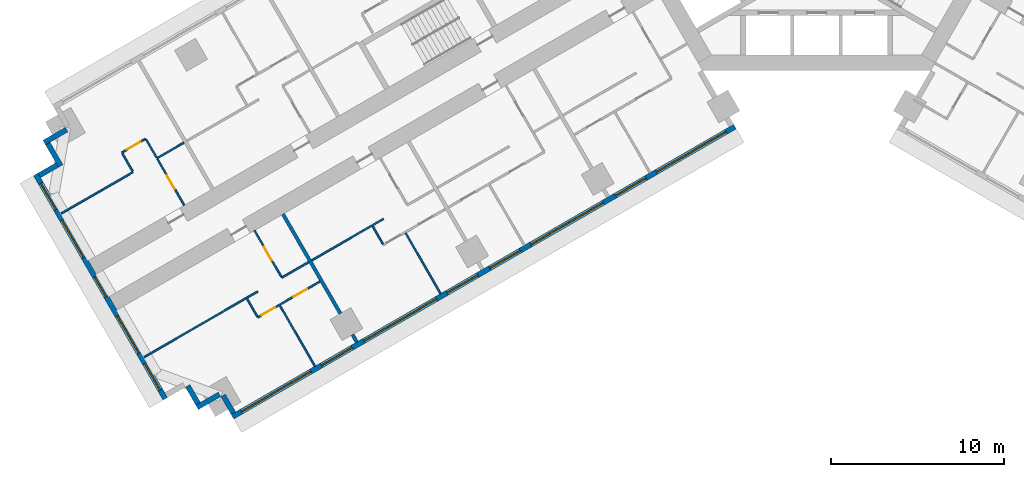
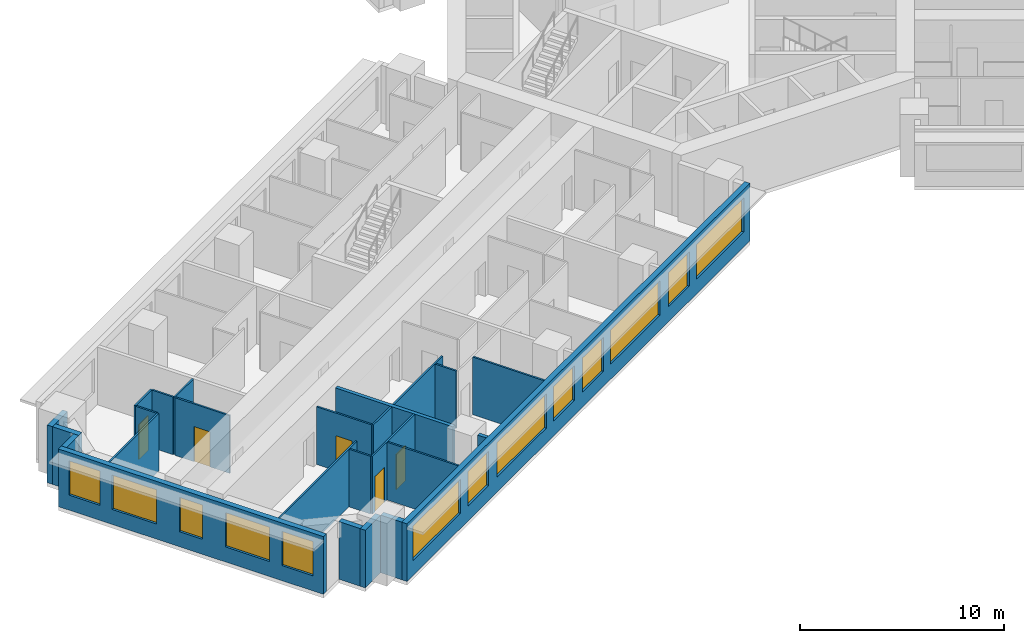
# One storey, part 2 of 14: 25 walls, 13 windows, 5 doors, 18 openings.
"""IFC4 building model written with IfcOpenShell, lengths in metres."""

from ifc_helpers import new_model, si_unit, direction, frame, frame_2d, origin, place, context, subcontext, project, spatial, rectangle, extrude, material, layer, layer_set, type_object, element, fill, save


model = new_model("IFC4")

# Units and contexts
model_context = context("Model", 3, precision=1e-05, world=origin(), true_north=direction((0.0, 1.0)))
body_context = subcontext(model_context, "Body", "Model", "MODEL_VIEW")
ifc_project = project(units=[si_unit("LENGTHUNIT", "METRE"), si_unit("AREAUNIT", "SQUARE_METRE"), si_unit("VOLUMEUNIT", "CUBIC_METRE"), si_unit("PLANEANGLEUNIT", "RADIAN"), si_unit("MASSUNIT", "GRAM", prefix="KILO")], contexts=[model_context])

# Site, building, storey
site_placement = place(None, origin())
site = spatial("IfcSite", under=ifc_project, at=site_placement, CompositionType="ELEMENT")
building_placement = place(site_placement, origin())
building = spatial("IfcBuilding", under=site, at=building_placement, Name="Impinga Residences", CompositionType="ELEMENT")
storey_placement = place(building_placement, frame((0.0, 0.0, 89.75)))
storey = spatial("IfcBuildingStorey", under=building, at=storey_placement, Name="L22", CompositionType="ELEMENT", Elevation=89.75)

# Walls
ifc_material_1 = material(Name="Terracotta rainscreen on blockwork", Category="masonry")
ifc_layer_1 = layer(ifc_material_1, 0.300048828125)
ifc_layer_set_1 = layer_set([ifc_layer_1], Name="EW1 external wall, terracotta rainscreen on blockwork 300")
wall_type_1 = type_object("IfcWallType", Name="EW1 external wall, terracotta rainscreen on blockwork 300", PredefinedType="SOLIDWALL", material=ifc_layer_set_1)
wall_1_placement = place(storey_placement, frame((-33.7685546875, -31.274169921875, 0.0), z_axis=(0.0, 0.0, 1.0), x_axis=(-0.499940577336, 0.866059708757, 0.0)))
element("IfcWall", 1, at=wall_1_placement, inside=storey, type_object=wall_type_1, Name="External wall EW1 L22", PredefinedType="SOLIDWALL", context=body_context, shape_type="SweptSolid", body=[
    extrude(rectangle(XDim=1.195068359375, YDim=0.300048828125, at=frame_2d((0.59765625, 0.0))), origin(), (0.0, 0.0, 1.0), 3.449951171875),
])
wall_2_placement = place(storey_placement, frame((-34.573486328125, -30.18017578125, 0.0), z_axis=(0.0, 0.0, 1.0), x_axis=(-0.866031096941, -0.499990139034, 0.0)))
element("IfcWall", 2, at=wall_2_placement, inside=storey, type_object=wall_type_1, Name="External wall EW1 L22", PredefinedType="SOLIDWALL", context=body_context, shape_type="SweptSolid", body=[
    extrude(rectangle(XDim=1.5, YDim=0.300048828125, at=frame_2d((0.75, 0.0))), origin(), (0.0, 0.0, 1.0), 3.449951171875),
])
wall_3_placement = place(storey_placement, frame((-35.817626953125, -30.72509765625, 0.0), z_axis=(0.0, 0.0, 1.0), x_axis=(-0.499969057507, 0.866043267704, 0.0)))
element("IfcWall", 3, at=wall_3_placement, inside=storey, type_object=wall_type_1, Name="External wall EW1 L22", PredefinedType="SOLIDWALL", context=body_context, shape_type="SweptSolid", body=[
    extrude(rectangle(XDim=1.19970703125, YDim=0.300048828125, at=frame_2d((0.599853515625, 0.0))), origin(), (0.0, 0.0, 1.0), 3.449951171875),
])

# Wall, openings, windows
wall_4_placement = place(storey_placement, frame((-37.716552734375, -30.43603515625, 0.0), z_axis=(0.0, 0.0, 1.0), x_axis=(-0.499997186618, 0.866027028085, 0.0)))
wall_4 = element("IfcWall", 4, at=wall_4_placement, inside=storey, type_object=wall_type_1, Name="External wall EW1 L22", PredefinedType="SOLIDWALL", context=body_context, shape_type="SweptSolid", body=[
    extrude(rectangle(XDim=15.0, YDim=0.300048828125, at=frame_2d((7.5, 0.0))), origin(), (0.0, 0.0, 1.0), 3.449951171875),
])
opening_1_placement = place(wall_4_placement, frame((0.60009765625, 0.0, 0.89990234375)))
opening_1 = element("IfcOpeningElement", 5, at=opening_1_placement, cuts=wall_4, Name="Opening W1", PredefinedType="OPENING", context=body_context, shape_type="SweptSolid", body=[
    extrude(rectangle(XDim=1.75, YDim=2.050048828125, at=frame_2d((0.875, 1.02490234375))), frame((0.0, 0.159912109375, 0.0), z_axis=(0.0, -1.0, 0.0), x_axis=(1.0, 0.0, 0.0)), (0.0, 0.0, 1.0), 0.320068359375),
])
opening_2_placement = place(wall_4_placement, frame((3.050048828125, 0.0, 0.89990234375)))
opening_2 = element("IfcOpeningElement", 6, at=opening_2_placement, cuts=wall_4, Name="Opening W2", PredefinedType="OPENING", context=body_context, shape_type="SweptSolid", body=[
    extrude(rectangle(XDim=2.5, YDim=2.050048828125, at=frame_2d((1.25, 1.02490234375))), frame((0.0, 0.159912109375, 0.0), z_axis=(0.0, -1.0, 0.0), x_axis=(1.0, 0.0, 0.0)), (0.0, 0.0, 1.0), 0.320068359375),
])
opening_3_placement = place(wall_4_placement, frame((6.85009765625, 0.0, 0.89990234375)))
opening_3 = element("IfcOpeningElement", 7, at=opening_3_placement, cuts=wall_4, Name="Opening WE1", PredefinedType="OPENING", context=body_context, shape_type="SweptSolid", body=[
    extrude(rectangle(XDim=1.300048828125, YDim=2.050048828125, at=frame_2d((0.64990234375, 1.02490234375))), frame((0.0, 0.159912109375, 0.0), z_axis=(0.0, -1.0, 0.0), x_axis=(1.0, 0.0, 0.0)), (0.0, 0.0, 1.0), 0.320068359375),
])
opening_4_placement = place(wall_4_placement, frame((9.449951171875, 0.0, 0.89990234375)))
opening_4 = element("IfcOpeningElement", 8, at=opening_4_placement, cuts=wall_4, Name="Opening W2", PredefinedType="OPENING", context=body_context, shape_type="SweptSolid", body=[
    extrude(rectangle(XDim=2.5, YDim=2.050048828125, at=frame_2d((1.25, 1.02490234375))), frame((0.0, 0.159912109375, 0.0), z_axis=(0.0, -1.0, 0.0), x_axis=(1.0, 0.0, 0.0)), (0.0, 0.0, 1.0), 0.320068359375),
])
opening_5_placement = place(wall_4_placement, frame((12.64990234375, 0.0, 0.89990234375)))
opening_5 = element("IfcOpeningElement", 9, at=opening_5_placement, cuts=wall_4, Name="Opening W1", PredefinedType="OPENING", context=body_context, shape_type="SweptSolid", body=[
    extrude(rectangle(XDim=1.75, YDim=2.050048828125, at=frame_2d((0.875, 1.02490234375))), frame((0.0, 0.159912109375, 0.0), z_axis=(0.0, -1.0, 0.0), x_axis=(1.0, 0.0, 0.0)), (0.0, 0.0, 1.0), 0.320068359375),
])
ifc_material_2 = material(Name="Aluminium window, clear double glazing", Category="aluminium")
window_type_1 = type_object("IfcWindowType", Name="W1 ribbon window 1750x2050", PartitioningType="SINGLE_PANEL", PredefinedType="WINDOW", material=ifc_material_2)
window_1_placement = place(opening_1_placement, origin())
window_1 = element("IfcWindow", 10, at=window_1_placement, inside=storey, type_object=window_type_1, Name="Window L22", OverallHeight=2.050048828125, OverallWidth=1.75, PartitioningType="SINGLE_PANEL", PredefinedType="WINDOW", context=body_context, shape_type="SweptSolid", body=[
    extrude(rectangle(XDim=1.75, YDim=2.050048828125, at=frame_2d((0.875, 1.02490234375))), frame((0.0, 0.030029296875, 0.0), z_axis=(0.0, -1.0, 0.0), x_axis=(1.0, 0.0, 0.0)), (0.0, 0.0, 1.0), 0.06005859375),
])
fill(opening_1, window_1)
window_2_placement = place(opening_5_placement, origin())
window_2 = element("IfcWindow", 11, at=window_2_placement, inside=storey, type_object=window_type_1, Name="Window L22", OverallHeight=2.050048828125, OverallWidth=1.75, PartitioningType="SINGLE_PANEL", PredefinedType="WINDOW", context=body_context, shape_type="SweptSolid", body=[
    extrude(rectangle(XDim=1.75, YDim=2.050048828125, at=frame_2d((0.875, 1.02490234375))), frame((0.0, 0.030029296875, 0.0), z_axis=(0.0, -1.0, 0.0), x_axis=(1.0, 0.0, 0.0)), (0.0, 0.0, 1.0), 0.06005859375),
])
fill(opening_5, window_2)
window_type_2 = type_object("IfcWindowType", Name="W2 ribbon window 2500x2050", PartitioningType="SINGLE_PANEL", PredefinedType="WINDOW", material=ifc_material_2)
window_3_placement = place(opening_2_placement, origin())
window_3 = element("IfcWindow", 12, at=window_3_placement, inside=storey, type_object=window_type_2, Name="Window L22", OverallHeight=2.050048828125, OverallWidth=2.5, PartitioningType="SINGLE_PANEL", PredefinedType="WINDOW", context=body_context, shape_type="SweptSolid", body=[
    extrude(rectangle(XDim=2.5, YDim=2.050048828125, at=frame_2d((1.25, 1.02490234375))), frame((0.0, 0.030029296875, 0.0), z_axis=(0.0, -1.0, 0.0), x_axis=(1.0, 0.0, 0.0)), (0.0, 0.0, 1.0), 0.06005859375),
])
fill(opening_2, window_3)
window_4_placement = place(opening_4_placement, origin())
window_4 = element("IfcWindow", 13, at=window_4_placement, inside=storey, type_object=window_type_2, Name="Window L22", OverallHeight=2.050048828125, OverallWidth=2.5, PartitioningType="SINGLE_PANEL", PredefinedType="WINDOW", context=body_context, shape_type="SweptSolid", body=[
    extrude(rectangle(XDim=2.5, YDim=2.050048828125, at=frame_2d((1.25, 1.02490234375))), frame((0.0, 0.030029296875, 0.0), z_axis=(0.0, -1.0, 0.0), x_axis=(1.0, 0.0, 0.0)), (0.0, 0.0, 1.0), 0.06005859375),
])
fill(opening_4, window_4)
window_type_3 = type_object("IfcWindowType", Name="WE1 corridor window 1300x2050", PartitioningType="SINGLE_PANEL", PredefinedType="WINDOW", material=ifc_material_2)
window_5_placement = place(opening_3_placement, origin())
window_5 = element("IfcWindow", 14, at=window_5_placement, inside=storey, type_object=window_type_3, Name="Window L22", OverallHeight=2.050048828125, OverallWidth=1.300048828125, PartitioningType="SINGLE_PANEL", PredefinedType="WINDOW", context=body_context, shape_type="SweptSolid", body=[
    extrude(rectangle(XDim=1.300048828125, YDim=2.050048828125, at=frame_2d((0.64990234375, 1.02490234375))), frame((0.0, 0.030029296875, 0.0), z_axis=(0.0, -1.0, 0.0), x_axis=(1.0, 0.0, 0.0)), (0.0, 0.0, 1.0), 0.06005859375),
])
fill(opening_3, window_5)

# Walls
wall_5_placement = place(storey_placement, frame((-45.01171875, -17.50048828125, 0.0), z_axis=(0.0, 0.0, 1.0), x_axis=(0.866059708757, 0.499940577336, 0.0)))
element("IfcWall", 15, at=wall_5_placement, inside=storey, type_object=wall_type_1, Name="External wall EW1 L22", PredefinedType="SOLIDWALL", context=body_context, shape_type="SweptSolid", body=[
    extrude(rectangle(XDim=1.195068359375, YDim=0.300048828125, at=frame_2d((0.59765625, 0.0))), origin(), (0.0, 0.0, 1.0), 3.449951171875),
])
for number, where, z_axis, x_axis, name in (
    (16, (-43.767578125, -16.955322265625, 0.0), (0.0, 0.0, 1.0), (-0.499990139034, 0.866031096941, 0.0), "External wall EW1 L22"),
    (17, (-44.722412109375, -15.6015625, 0.0), (0.0, 0.0, 1.0), (0.866031096941, 0.499990139034, 0.0), "External wall EW1 L22"),
):
    element("IfcWall", number, at=place(storey_placement, frame(where, z_axis=z_axis, x_axis=x_axis)), inside=storey, type_object=wall_type_1, Name=name, PredefinedType="SOLIDWALL", context=body_context, shape_type="SweptSolid", body=[
        extrude(rectangle(XDim=1.5, YDim=0.300048828125, at=frame_2d((0.75, 0.0))), origin(), (0.0, 0.0, 1.0), 3.449951171875),
    ])

# Wall, openings, windows
wall_6_placement = place(storey_placement, frame((-4.72509765625, -14.67919921875, 0.0), z_axis=(0.0, 0.0, 1.0), x_axis=(-0.866024291668, -0.500001926238, 0.0)))
wall_6 = element("IfcWall", 18, at=wall_6_placement, inside=storey, type_object=wall_type_1, Name="External wall EW1 L22", PredefinedType="SOLIDWALL", context=body_context, shape_type="SweptSolid", body=[
    extrude(rectangle(XDim=33.599853515625, YDim=0.300048828125, at=frame_2d((16.7998046875, 0.0))), origin(), (0.0, 0.0, 1.0), 3.449951171875),
])
opening_6_placement = place(wall_6_placement, frame((0.60009765625, 0.0, 0.89990234375)))
opening_6 = element("IfcOpeningElement", 19, at=opening_6_placement, cuts=wall_6, Name="Opening W10", PredefinedType="OPENING", context=body_context, shape_type="SweptSolid", body=[
    extrude(rectangle(XDim=4.64990234375, YDim=2.050048828125, at=frame_2d((2.324951171875, 1.02490234375))), frame((0.0, 0.159912109375, 0.0), z_axis=(0.0, -1.0, 0.0), x_axis=(1.0, 0.0, 0.0)), (0.0, 0.0, 1.0), 0.320068359375),
])
opening_7_placement = place(wall_6_placement, frame((5.949951171875, 0.0, 0.89990234375)))
opening_7 = element("IfcOpeningElement", 20, at=opening_7_placement, cuts=wall_6, Name="Opening W14", PredefinedType="OPENING", context=body_context, shape_type="SweptSolid", body=[
    extrude(rectangle(XDim=2.050048828125, YDim=2.050048828125, at=frame_2d((1.02490234375, 1.02490234375))), frame((0.0, 0.159912109375, 0.0), z_axis=(0.0, -1.0, 0.0), x_axis=(1.0, 0.0, 0.0)), (0.0, 0.0, 1.0), 0.320068359375),
])
opening_8_placement = place(wall_6_placement, frame((8.800048828125, 0.0, 0.89990234375)))
opening_8 = element("IfcOpeningElement", 21, at=opening_8_placement, cuts=wall_6, Name="Opening W6", PredefinedType="OPENING", context=body_context, shape_type="SweptSolid", body=[
    extrude(rectangle(XDim=4.85009765625, YDim=2.050048828125, at=frame_2d((2.425048828125, 1.02490234375))), frame((0.0, 0.159912109375, 0.0), z_axis=(0.0, -1.0, 0.0), x_axis=(1.0, 0.0, 0.0)), (0.0, 0.0, 1.0), 0.320068359375),
])
opening_9_placement = place(wall_6_placement, frame((14.35009765625, 0.0, 0.89990234375)))
opening_9 = element("IfcOpeningElement", 22, at=opening_9_placement, cuts=wall_6, Name="Opening W14", PredefinedType="OPENING", context=body_context, shape_type="SweptSolid", body=[
    extrude(rectangle(XDim=2.050048828125, YDim=2.050048828125, at=frame_2d((1.02490234375, 1.02490234375))), frame((0.0, 0.159912109375, 0.0), z_axis=(0.0, -1.0, 0.0), x_axis=(1.0, 0.0, 0.0)), (0.0, 0.0, 1.0), 0.320068359375),
])
opening_10_placement = place(wall_6_placement, frame((17.199951171875, 0.0, 0.89990234375)))
opening_10 = element("IfcOpeningElement", 23, at=opening_10_placement, cuts=wall_6, Name="Opening W14", PredefinedType="OPENING", context=body_context, shape_type="SweptSolid", body=[
    extrude(rectangle(XDim=2.050048828125, YDim=2.050048828125, at=frame_2d((1.02490234375, 1.02490234375))), frame((0.0, 0.159912109375, 0.0), z_axis=(0.0, -1.0, 0.0), x_axis=(1.0, 0.0, 0.0)), (0.0, 0.0, 1.0), 0.320068359375),
])
opening_11_placement = place(wall_6_placement, frame((19.949951171875, 0.0, 0.89990234375)))
opening_11 = element("IfcOpeningElement", 24, at=opening_11_placement, cuts=wall_6, Name="Opening W6", PredefinedType="OPENING", context=body_context, shape_type="SweptSolid", body=[
    extrude(rectangle(XDim=4.85009765625, YDim=2.050048828125, at=frame_2d((2.425048828125, 1.02490234375))), frame((0.0, 0.159912109375, 0.0), z_axis=(0.0, -1.0, 0.0), x_axis=(1.0, 0.0, 0.0)), (0.0, 0.0, 1.0), 0.320068359375),
])
opening_12_placement = place(wall_6_placement, frame((25.60009765625, 0.0, 0.89990234375)))
opening_12 = element("IfcOpeningElement", 25, at=opening_12_placement, cuts=wall_6, Name="Opening W14", PredefinedType="OPENING", context=body_context, shape_type="SweptSolid", body=[
    extrude(rectangle(XDim=2.050048828125, YDim=2.050048828125, at=frame_2d((1.02490234375, 1.02490234375))), frame((0.0, 0.159912109375, 0.0), z_axis=(0.0, -1.0, 0.0), x_axis=(1.0, 0.0, 0.0)), (0.0, 0.0, 1.0), 0.320068359375),
])
opening_13_placement = place(wall_6_placement, frame((28.35009765625, 0.0, 0.89990234375)))
opening_13 = element("IfcOpeningElement", 26, at=opening_13_placement, cuts=wall_6, Name="Opening W10", PredefinedType="OPENING", context=body_context, shape_type="SweptSolid", body=[
    extrude(rectangle(XDim=4.64990234375, YDim=2.050048828125, at=frame_2d((2.324951171875, 1.02490234375))), frame((0.0, 0.159912109375, 0.0), z_axis=(0.0, -1.0, 0.0), x_axis=(1.0, 0.0, 0.0)), (0.0, 0.0, 1.0), 0.320068359375),
])
window_type_4 = type_object("IfcWindowType", Name="W10 ribbon window 4650x2050", PartitioningType="SINGLE_PANEL", PredefinedType="WINDOW", material=ifc_material_2)
window_6_placement = place(opening_6_placement, origin())
window_6 = element("IfcWindow", 27, at=window_6_placement, inside=storey, type_object=window_type_4, Name="Window L22", OverallHeight=2.050048828125, OverallWidth=4.64990234375, PartitioningType="SINGLE_PANEL", PredefinedType="WINDOW", context=body_context, shape_type="SweptSolid", body=[
    extrude(rectangle(XDim=4.64990234375, YDim=2.050048828125, at=frame_2d((2.324951171875, 1.02490234375))), frame((0.0, 0.030029296875, 0.0), z_axis=(0.0, -1.0, 0.0), x_axis=(1.0, 0.0, 0.0)), (0.0, 0.0, 1.0), 0.06005859375),
])
fill(opening_6, window_6)
window_7_placement = place(opening_13_placement, origin())
window_7 = element("IfcWindow", 28, at=window_7_placement, inside=storey, type_object=window_type_4, Name="Window L22", OverallHeight=2.050048828125, OverallWidth=4.64990234375, PartitioningType="SINGLE_PANEL", PredefinedType="WINDOW", context=body_context, shape_type="SweptSolid", body=[
    extrude(rectangle(XDim=4.64990234375, YDim=2.050048828125, at=frame_2d((2.324951171875, 1.02490234375))), frame((0.0, 0.030029296875, 0.0), z_axis=(0.0, -1.0, 0.0), x_axis=(1.0, 0.0, 0.0)), (0.0, 0.0, 1.0), 0.06005859375),
])
fill(opening_13, window_7)
window_type_5 = type_object("IfcWindowType", Name="W14 ribbon window 2050x2050", PartitioningType="SINGLE_PANEL", PredefinedType="WINDOW", material=ifc_material_2)
window_8_placement = place(opening_7_placement, origin())
window_8 = element("IfcWindow", 29, at=window_8_placement, inside=storey, type_object=window_type_5, Name="Window L22", OverallHeight=2.050048828125, OverallWidth=2.050048828125, PartitioningType="SINGLE_PANEL", PredefinedType="WINDOW", context=body_context, shape_type="SweptSolid", body=[
    extrude(rectangle(XDim=2.050048828125, YDim=2.050048828125, at=frame_2d((1.02490234375, 1.02490234375))), frame((0.0, 0.030029296875, 0.0), z_axis=(0.0, -1.0, 0.0), x_axis=(1.0, 0.0, 0.0)), (0.0, 0.0, 1.0), 0.06005859375),
])
fill(opening_7, window_8)
window_9_placement = place(opening_9_placement, origin())
window_9 = element("IfcWindow", 30, at=window_9_placement, inside=storey, type_object=window_type_5, Name="Window L22", OverallHeight=2.050048828125, OverallWidth=2.050048828125, PartitioningType="SINGLE_PANEL", PredefinedType="WINDOW", context=body_context, shape_type="SweptSolid", body=[
    extrude(rectangle(XDim=2.050048828125, YDim=2.050048828125, at=frame_2d((1.02490234375, 1.02490234375))), frame((0.0, 0.030029296875, 0.0), z_axis=(0.0, -1.0, 0.0), x_axis=(1.0, 0.0, 0.0)), (0.0, 0.0, 1.0), 0.06005859375),
])
fill(opening_9, window_9)
window_10_placement = place(opening_10_placement, origin())
window_10 = element("IfcWindow", 31, at=window_10_placement, inside=storey, type_object=window_type_5, Name="Window L22", OverallHeight=2.050048828125, OverallWidth=2.050048828125, PartitioningType="SINGLE_PANEL", PredefinedType="WINDOW", context=body_context, shape_type="SweptSolid", body=[
    extrude(rectangle(XDim=2.050048828125, YDim=2.050048828125, at=frame_2d((1.02490234375, 1.02490234375))), frame((0.0, 0.030029296875, 0.0), z_axis=(0.0, -1.0, 0.0), x_axis=(1.0, 0.0, 0.0)), (0.0, 0.0, 1.0), 0.06005859375),
])
fill(opening_10, window_10)
window_11_placement = place(opening_12_placement, origin())
window_11 = element("IfcWindow", 32, at=window_11_placement, inside=storey, type_object=window_type_5, Name="Window L22", OverallHeight=2.050048828125, OverallWidth=2.050048828125, PartitioningType="SINGLE_PANEL", PredefinedType="WINDOW", context=body_context, shape_type="SweptSolid", body=[
    extrude(rectangle(XDim=2.050048828125, YDim=2.050048828125, at=frame_2d((1.02490234375, 1.02490234375))), frame((0.0, 0.030029296875, 0.0), z_axis=(0.0, -1.0, 0.0), x_axis=(1.0, 0.0, 0.0)), (0.0, 0.0, 1.0), 0.06005859375),
])
fill(opening_12, window_11)
window_type_6 = type_object("IfcWindowType", Name="W6 ribbon window 4850x2050", PartitioningType="SINGLE_PANEL", PredefinedType="WINDOW", material=ifc_material_2)
window_12_placement = place(opening_8_placement, origin())
window_12 = element("IfcWindow", 33, at=window_12_placement, inside=storey, type_object=window_type_6, Name="Window L22", OverallHeight=2.050048828125, OverallWidth=4.85009765625, PartitioningType="SINGLE_PANEL", PredefinedType="WINDOW", context=body_context, shape_type="SweptSolid", body=[
    extrude(rectangle(XDim=4.85009765625, YDim=2.050048828125, at=frame_2d((2.425048828125, 1.02490234375))), frame((0.0, 0.030029296875, 0.0), z_axis=(0.0, -1.0, 0.0), x_axis=(1.0, 0.0, 0.0)), (0.0, 0.0, 1.0), 0.06005859375),
])
fill(opening_8, window_12)
window_13_placement = place(opening_11_placement, origin())
window_13 = element("IfcWindow", 34, at=window_13_placement, inside=storey, type_object=window_type_6, Name="Window L22", OverallHeight=2.050048828125, OverallWidth=4.85009765625, PartitioningType="SINGLE_PANEL", PredefinedType="WINDOW", context=body_context, shape_type="SweptSolid", body=[
    extrude(rectangle(XDim=4.85009765625, YDim=2.050048828125, at=frame_2d((2.425048828125, 1.02490234375))), frame((0.0, 0.030029296875, 0.0), z_axis=(0.0, -1.0, 0.0), x_axis=(1.0, 0.0, 0.0)), (0.0, 0.0, 1.0), 0.06005859375),
])
fill(opening_11, window_13)

# Walls
ifc_material_3 = material(Name="Gypsum board on steel studs", Category="steel")
ifc_layer_2 = layer(ifc_material_3, 0.10009765625)
ifc_layer_set_2 = layer_set([ifc_layer_2], Name="Gypsum board on steel studs")
wall_type_2 = type_object("IfcWallType", Name="IP1 partition 100", PredefinedType="PARTITIONING", material=ifc_layer_set_2)
wall_7_placement = place(storey_placement, frame((-25.080322265625, -20.022705078125, 0.0), z_axis=(0.0, 0.0, 1.0), x_axis=(-0.866037363387, -0.499979284789, 0.0)))
element("IfcWall", 35, at=wall_7_placement, inside=storey, type_object=wall_type_2, Name="Partition L22-WA3:DIV1", PredefinedType="PARTITIONING", context=body_context, shape_type="SweptSolid", body=[
    extrude(rectangle(XDim=4.800048828125, YDim=0.10009765625, at=frame_2d((2.39990234375, 0.0))), origin(), (0.0, 0.0, 1.0), 3.449951171875),
])
wall_8_placement = place(storey_placement, frame((-25.704833984375, -20.44091796875, 0.0), z_axis=(0.0, 0.0, 1.0), x_axis=(0.500033551112, -0.866006032174, 0.0)))
element("IfcWall", 36, at=wall_8_placement, inside=storey, type_object=wall_type_2, Name="Partition L22-WA3:SE1", PredefinedType="PARTITIONING", context=body_context, shape_type="SweptSolid", body=[
    extrude(rectangle(XDim=1.2001953125, YDim=0.10009765625, at=frame_2d((0.60009765625, 0.0))), origin(), (0.0, 0.0, 1.0), 3.449951171875),
])
wall_9_placement = place(storey_placement, frame((-23.799072265625, -20.841796875, 0.0), z_axis=(0.0, 0.0, 1.0), x_axis=(0.499990325971, -0.866030989016, 0.0)))
element("IfcWall", 37, at=wall_9_placement, inside=storey, type_object=wall_type_2, Name="Partition L22-WA3:OB1", PredefinedType="PARTITIONING", context=body_context, shape_type="SweptSolid", body=[
    extrude(rectangle(XDim=4.0498046875, YDim=0.10009765625, at=frame_2d((2.02490234375, 0.0))), origin(), (0.0, 0.0, 1.0), 3.449951171875),
])
wall_10_placement = place(storey_placement, frame((-29.410400390625, -22.522705078125, 0.0), z_axis=(0.0, 0.0, 1.0), x_axis=(-0.866047807691, -0.499961193289, 0.0)))
element("IfcWall", 38, at=wall_10_placement, inside=storey, type_object=wall_type_2, Name="Partition L22-WA4:DIV0", PredefinedType="PARTITIONING", context=body_context, shape_type="SweptSolid", body=[
    extrude(rectangle(XDim=1.800048828125, YDim=0.10009765625, at=frame_2d((0.89990234375, 0.0))), origin(), (0.0, 0.0, 1.0), 3.449951171875),
])
wall_11_placement = place(storey_placement, frame((-32.35498046875, -24.22265625, 0.0), z_axis=(0.0, 0.0, 1.0), x_axis=(-0.866022425744, -0.500005158081, 0.0)))
element("IfcWall", 39, at=wall_11_placement, inside=storey, type_object=wall_type_2, Name="Partition L22-WA4:DIV1", PredefinedType="PARTITIONING", context=body_context, shape_type="SweptSolid", body=[
    extrude(rectangle(XDim=7.60009765625, YDim=0.10009765625, at=frame_2d((3.800048828125, 0.0))), origin(), (0.0, 0.0, 1.0), 3.449951171875),
])

# Wall, openings, doors
wall_12_placement = place(storey_placement, frame((-28.760498046875, -23.6484375, 0.0), z_axis=(0.0, 0.0, 1.0), x_axis=(-0.866004344652, -0.500036473714, 0.0)))
wall_12 = element("IfcWall", 40, at=wall_12_placement, inside=storey, type_object=wall_type_2, Name="Partition L22-WA4:STRIP", PredefinedType="PARTITIONING", context=body_context, shape_type="SweptSolid", body=[
    extrude(rectangle(XDim=4.150146484375, YDim=0.10009765625, at=frame_2d((2.0751953125, 0.0))), origin(), (0.0, 0.0, 1.0), 3.449951171875),
])
opening_14_placement = place(wall_12_placement, frame((0.875, 0.0, 0.0)))
opening_14 = element("IfcOpeningElement", 41, at=opening_14_placement, cuts=wall_12, Name="Opening D2", PredefinedType="OPENING", context=body_context, shape_type="SweptSolid", body=[
    extrude(rectangle(XDim=0.89990234375, YDim=2.10009765625, at=frame_2d((0.449951171875, 1.050048828125))), frame((0.0, 0.06005859375, 0.0), z_axis=(0.0, -1.0, 0.0), x_axis=(1.0, 0.0, 0.0)), (0.0, 0.0, 1.0), 0.1201171875),
])
opening_15_placement = place(wall_12_placement, frame((3.0, 0.0, 0.0)))
opening_15 = element("IfcOpeningElement", 42, at=opening_15_placement, cuts=wall_12, Name="Opening D2", PredefinedType="OPENING", context=body_context, shape_type="SweptSolid", body=[
    extrude(rectangle(XDim=0.89990234375, YDim=2.10009765625, at=frame_2d((0.449951171875, 1.050048828125))), frame((0.0, 0.06005859375, 0.0), z_axis=(0.0, -1.0, 0.0), x_axis=(1.0, 0.0, 0.0)), (0.0, 0.0, 1.0), 0.1201171875),
])
ifc_material_4 = material(Name="Timber door set", Category="wood")
door_type = type_object("IfcDoorType", Name="D2 internal door 900x2100", OperationType="SINGLE_SWING_LEFT", PredefinedType="DOOR", material=ifc_material_4)
door_1_placement = place(opening_14_placement, origin())
door_1 = element("IfcDoor", 43, at=door_1_placement, inside=storey, type_object=door_type, Name="Apartment L22-WA4 room door", OperationType="SINGLE_SWING_LEFT", OverallHeight=2.10009765625, OverallWidth=0.89990234375, PredefinedType="DOOR", context=body_context, shape_type="SweptSolid", body=[
    extrude(rectangle(XDim=0.89990234375, YDim=2.10009765625, at=frame_2d((0.449951171875, 1.050048828125))), frame((0.0, 0.02490234375, 0.0), z_axis=(0.0, -1.0, 0.0), x_axis=(1.0, 0.0, 0.0)), (0.0, 0.0, 1.0), 0.050048828125),
])
fill(opening_14, door_1)
door_2_placement = place(opening_15_placement, origin())
door_2 = element("IfcDoor", 44, at=door_2_placement, inside=storey, type_object=door_type, Name="Apartment L22-WA4 room door", OperationType="SINGLE_SWING_RIGHT", OverallHeight=2.10009765625, OverallWidth=0.89990234375, PredefinedType="DOOR", context=body_context, shape_type="SweptSolid", body=[
    extrude(rectangle(XDim=0.89990234375, YDim=2.10009765625, at=frame_2d((0.449951171875, 1.050048828125))), frame((0.0, 0.02490234375, 0.0), z_axis=(0.0, -1.0, 0.0), x_axis=(1.0, 0.0, 0.0)), (0.0, 0.0, 1.0), 0.050048828125),
])
fill(opening_15, door_2)

# Wall
wall_13_placement = place(storey_placement, frame((-32.9794921875, -24.640869140625, 0.0), z_axis=(0.0, 0.0, 1.0), x_axis=(0.500033551112, -0.866006032174, 0.0)))
element("IfcWall", 45, at=wall_13_placement, inside=storey, type_object=wall_type_2, Name="Partition L22-WA4:SE1", PredefinedType="PARTITIONING", context=body_context, shape_type="SweptSolid", body=[
    extrude(rectangle(XDim=1.2001953125, YDim=0.10009765625, at=frame_2d((0.60009765625, 0.0))), origin(), (0.0, 0.0, 1.0), 3.449951171875),
])

# Wall, opening, door
wall_14_placement = place(storey_placement, frame((-32.544189453125, -20.69482421875, 0.0), z_axis=(0.0, 0.0, 1.0), x_axis=(0.499967891604, -0.866043940782, 0.0)))
wall_14 = element("IfcWall", 46, at=wall_14_placement, inside=storey, type_object=wall_type_2, Name="Partition L22-WA4:IB1", PredefinedType="PARTITIONING", context=body_context, shape_type="SweptSolid", body=[
    extrude(rectangle(XDim=3.099853515625, YDim=0.10009765625, at=frame_2d((1.5498046875, 0.0))), origin(), (0.0, 0.0, 1.0), 3.449951171875),
])
opening_16_placement = place(wall_14_placement, frame((1.10009765625, 0.0, 0.0)))
opening_16 = element("IfcOpeningElement", 47, at=opening_16_placement, cuts=wall_14, Name="Opening D2", PredefinedType="OPENING", context=body_context, shape_type="SweptSolid", body=[
    extrude(rectangle(XDim=0.89990234375, YDim=2.10009765625, at=frame_2d((0.449951171875, 1.050048828125))), frame((0.0, 0.06005859375, 0.0), z_axis=(0.0, -1.0, 0.0), x_axis=(1.0, 0.0, 0.0)), (0.0, 0.0, 1.0), 0.1201171875),
])
door_3_placement = place(opening_16_placement, origin())
door_3 = element("IfcDoor", 48, at=door_3_placement, inside=storey, type_object=door_type, Name="Apartment L22-WA4 bathroom door", OperationType="SINGLE_SWING_LEFT", OverallHeight=2.10009765625, OverallWidth=0.89990234375, PredefinedType="DOOR", context=body_context, shape_type="SweptSolid", body=[
    extrude(rectangle(XDim=0.89990234375, YDim=2.10009765625, at=frame_2d((0.449951171875, 1.050048828125))), frame((0.0, 0.02490234375, 0.0), z_axis=(0.0, -1.0, 0.0), x_axis=(1.0, 0.0, 0.0)), (0.0, 0.0, 1.0), 0.050048828125),
])
fill(opening_16, door_3)

# Walls
wall_15_placement = place(storey_placement, frame((-31.07373046875, -25.041748046875, 0.0), z_axis=(0.0, 0.0, 1.0), x_axis=(0.499964223975, -0.866046058097, 0.0)))
element("IfcWall", 49, at=wall_15_placement, inside=storey, type_object=wall_type_2, Name="Partition L22-WA4:OB1", PredefinedType="PARTITIONING", context=body_context, shape_type="SweptSolid", body=[
    extrude(rectangle(XDim=4.050048828125, YDim=0.10009765625, at=frame_2d((2.02490234375, 0.0))), origin(), (0.0, 0.0, 1.0), 3.449951171875),
])
wall_16_placement = place(storey_placement, frame((-36.63525390625, -15.60888671875, 0.0), z_axis=(0.0, 0.0, 1.0), x_axis=(-0.866047807691, -0.499961193289, 0.0)))
element("IfcWall", 50, at=wall_16_placement, inside=storey, type_object=wall_type_2, Name="Partition L22-WF3:DIV0", PredefinedType="PARTITIONING", context=body_context, shape_type="SweptSolid", body=[
    extrude(rectangle(XDim=1.800048828125, YDim=0.10009765625, at=frame_2d((0.89990234375, 0.0))), origin(), (0.0, 0.0, 1.0), 3.449951171875),
])
wall_17_placement = place(storey_placement, frame((-39.579833984375, -17.308837890625, 0.0), z_axis=(0.0, 0.0, 1.0), x_axis=(-0.866037363387, -0.499979284789, 0.0)))
element("IfcWall", 51, at=wall_17_placement, inside=storey, type_object=wall_type_2, Name="Partition L22-WF3:DIV1", PredefinedType="PARTITIONING", context=body_context, shape_type="SweptSolid", body=[
    extrude(rectangle(XDim=4.800048828125, YDim=0.10009765625, at=frame_2d((2.39990234375, 0.0))), origin(), (0.0, 0.0, 1.0), 3.449951171875),
])

# Wall, opening, door
wall_18_placement = place(storey_placement, frame((-38.84423828125, -15.383056640625, 0.0), z_axis=(0.0, 0.0, 1.0), x_axis=(-0.865989903783, -0.500061482766, 0.0)))
wall_18 = element("IfcWall", 52, at=wall_18_placement, inside=storey, type_object=wall_type_2, Name="Partition L22-WF3:STRIP", PredefinedType="PARTITIONING", context=body_context, shape_type="SweptSolid", body=[
    extrude(rectangle(XDim=1.599853515625, YDim=0.10009765625, at=frame_2d((0.7998046875, 0.0))), origin(), (0.0, 0.0, 1.0), 3.449951171875),
])
opening_17_placement = place(wall_18_placement, frame((0.35009765625, 0.0, 0.0)))
opening_17 = element("IfcOpeningElement", 53, at=opening_17_placement, cuts=wall_18, Name="Opening D2", PredefinedType="OPENING", context=body_context, shape_type="SweptSolid", body=[
    extrude(rectangle(XDim=0.89990234375, YDim=2.10009765625, at=frame_2d((0.449951171875, 1.050048828125))), frame((0.0, 0.06005859375, 0.0), z_axis=(0.0, -1.0, 0.0), x_axis=(1.0, 0.0, 0.0)), (0.0, 0.0, 1.0), 0.1201171875),
])
door_4_placement = place(opening_17_placement, origin())
door_4 = element("IfcDoor", 54, at=door_4_placement, inside=storey, type_object=door_type, Name="Apartment L22-WF3 room door", OperationType="SINGLE_SWING_LEFT", OverallHeight=2.10009765625, OverallWidth=0.89990234375, PredefinedType="DOOR", context=body_context, shape_type="SweptSolid", body=[
    extrude(rectangle(XDim=0.89990234375, YDim=2.10009765625, at=frame_2d((0.449951171875, 1.050048828125))), frame((0.0, 0.02490234375, 0.0), z_axis=(0.0, -1.0, 0.0), x_axis=(1.0, 0.0, 0.0)), (0.0, 0.0, 1.0), 0.050048828125),
])
fill(opening_17, door_4)

# Walls
wall_19_placement = place(storey_placement, frame((-38.21923828125, -16.465576171875, 0.0), z_axis=(0.0, 0.0, 1.0), x_axis=(-0.499880961361, 0.866094119867, 0.0)))
element("IfcWall", 55, at=wall_19_placement, inside=storey, type_object=wall_type_2, Name="Partition L22-WF3:SE0", PredefinedType="PARTITIONING", context=body_context, shape_type="SweptSolid", body=[
    extrude(rectangle(XDim=1.199951171875, YDim=0.10009765625, at=frame_2d((0.60009765625, 0.0))), origin(), (0.0, 0.0, 1.0), 3.449951171875),
])
wall_20_placement = place(storey_placement, frame((-39.604736328125, -17.265625, 0.0), z_axis=(0.0, 0.0, 1.0), x_axis=(-0.500033551112, 0.866006032174, 0.0)))
element("IfcWall", 56, at=wall_20_placement, inside=storey, type_object=wall_type_2, Name="Partition L22-WF3:SE1", PredefinedType="PARTITIONING", context=body_context, shape_type="SweptSolid", body=[
    extrude(rectangle(XDim=1.2001953125, YDim=0.10009765625, at=frame_2d((0.60009765625, 0.0))), origin(), (0.0, 0.0, 1.0), 3.449951171875),
])

# Wall, opening, door
wall_21_placement = place(storey_placement, frame((-36.619140625, -19.23681640625, 0.0), z_axis=(0.0, 0.0, 1.0), x_axis=(-0.500026960575, 0.86600983753, 0.0)))
wall_21 = element("IfcWall", 57, at=wall_21_placement, inside=storey, type_object=wall_type_2, Name="Partition L22-WF3:IB1", PredefinedType="PARTITIONING", context=body_context, shape_type="SweptSolid", body=[
    extrude(rectangle(XDim=3.099853515625, YDim=0.10009765625, at=frame_2d((1.5498046875, 0.0))), origin(), (0.0, 0.0, 1.0), 3.449951171875),
])
opening_18_placement = place(wall_21_placement, frame((1.10009765625, 0.0, 0.0)))
opening_18 = element("IfcOpeningElement", 58, at=opening_18_placement, cuts=wall_21, Name="Opening D2", PredefinedType="OPENING", context=body_context, shape_type="SweptSolid", body=[
    extrude(rectangle(XDim=0.89990234375, YDim=2.10009765625, at=frame_2d((0.449951171875, 1.050048828125))), frame((0.0, 0.06005859375, 0.0), z_axis=(0.0, -1.0, 0.0), x_axis=(1.0, 0.0, 0.0)), (0.0, 0.0, 1.0), 0.1201171875),
])
door_5_placement = place(opening_18_placement, origin())
door_5 = element("IfcDoor", 59, at=door_5_placement, inside=storey, type_object=door_type, Name="Apartment L22-WF3 bathroom door", OperationType="SINGLE_SWING_LEFT", OverallHeight=2.10009765625, OverallWidth=0.89990234375, PredefinedType="DOOR", context=body_context, shape_type="SweptSolid", body=[
    extrude(rectangle(XDim=0.89990234375, YDim=2.10009765625, at=frame_2d((0.449951171875, 1.050048828125))), frame((0.0, 0.02490234375, 0.0), z_axis=(0.0, -1.0, 0.0), x_axis=(1.0, 0.0, 0.0)), (0.0, 0.0, 1.0), 0.050048828125),
])
fill(opening_18, door_5)

# Walls
ifc_material_5 = material(Name="Concrete blockwork", Category="masonry")
ifc_layer_3 = layer(ifc_material_5, 0.199951171875)
ifc_layer_set_3 = layer_set([ifc_layer_3], Name="PW1 party wall between apartments 200")
wall_type_3 = type_object("IfcWallType", Name="PW1 party wall between apartments 200", PredefinedType="SOLIDWALL", material=ifc_layer_set_3)
wall_22_placement = place(storey_placement, frame((-30.89892578125, -19.74462890625, 0.0), z_axis=(0.0, 0.0, 1.0), x_axis=(0.500024353964, -0.86601134256, 0.0)))
element("IfcWall", 60, at=wall_22_placement, inside=storey, type_object=wall_type_3, Name="Party wall between apartments L22-WA3:PARTY", PredefinedType="SOLIDWALL", context=body_context, shape_type="SweptSolid", body=[
    extrude(rectangle(XDim=6.650146484375, YDim=0.199951171875, at=frame_2d((3.3251953125, 0.0))), origin(), (0.0, 0.0, 1.0), 3.449951171875),
])
wall_23_placement = place(storey_placement, frame((-26.873779296875, -26.71630859375, 0.0), z_axis=(0.0, 0.0, 1.0), x_axis=(0.500131122175, -0.865949687125, 0.0)))
element("IfcWall", 61, at=wall_23_placement, inside=storey, type_object=wall_type_3, Name="Party wall between apartments L22-WA3:PARTYb", PredefinedType="SOLIDWALL", context=body_context, shape_type="SweptSolid", body=[
    extrude(rectangle(XDim=0.499755859375, YDim=0.199951171875, at=frame_2d((0.25, 0.0))), origin(), (0.0, 0.0, 1.0), 3.449951171875),
])

save(model, "model.ifc")
